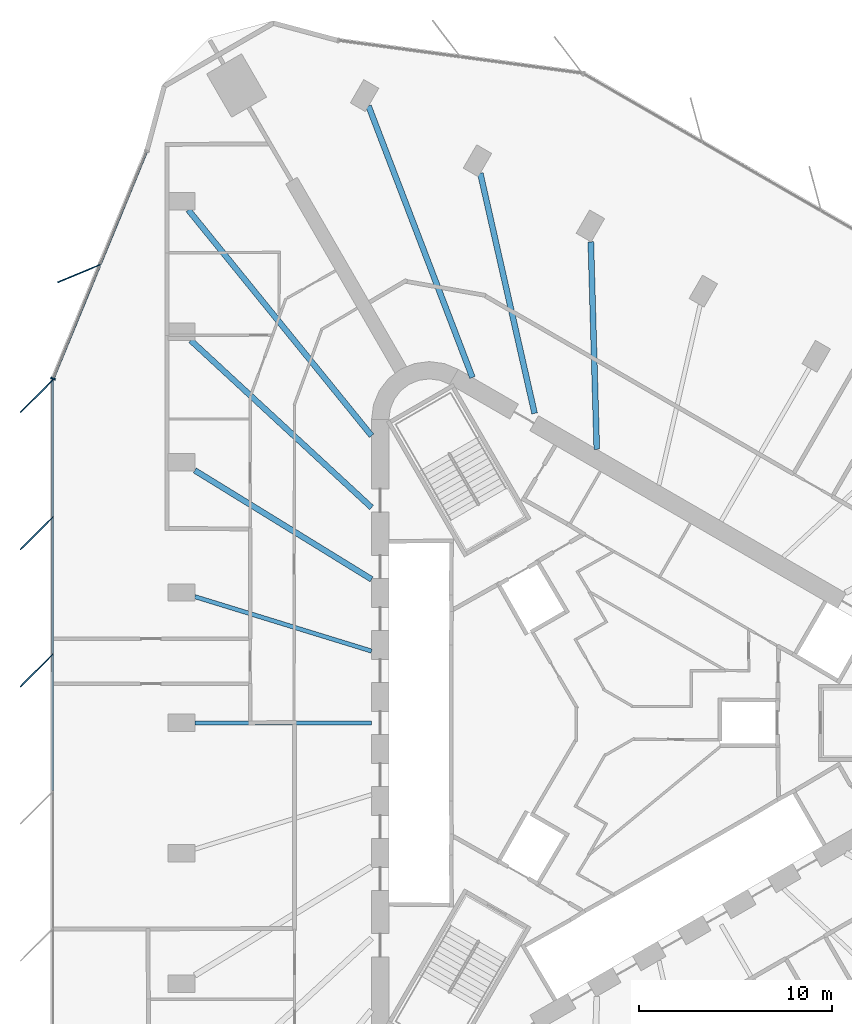
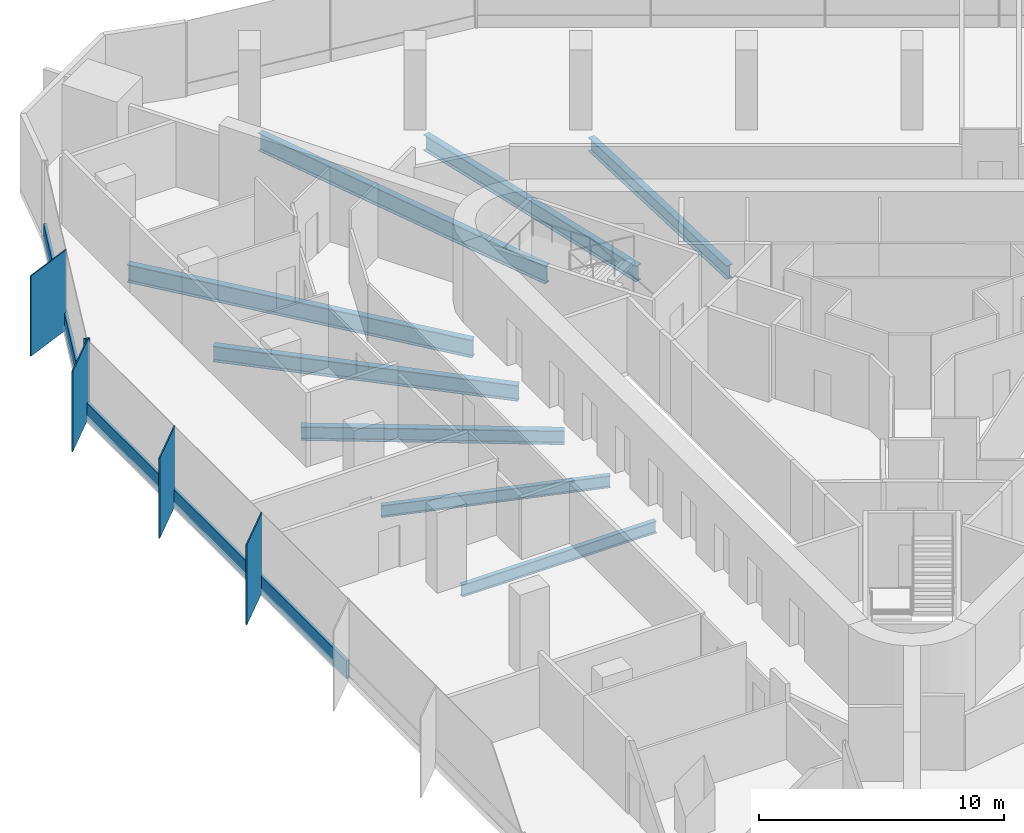
# One storey, part 4 of 14: 10 members, 8 beams, 2 elements without a shape of their own.
"""IFC4 building model written with IfcOpenShell, lengths in metres."""

import ifcopenshell
import ifcopenshell.guid

model = None  # the IFC model being written
_history = None  # IfcOwnerHistory: only IFC2X3 demands one
_inside = {}  # id of a spatial element -> (the spatial element, [elements in it])
_under = {}  # id of a project, library or spatial element -> (it, [spatial elements below it])
_declared = {}  # id of a project -> (the project, [libraries it declares])
_typed = {}  # id of a type object -> (the type object, [elements of that type])
_made_of = {}  # id of a material, layer set ... -> (it, [elements and type objects made of it])


def new_model(schema):
    """Start an empty IFC model of exactly this schema.

    Asked for "IFC4X3", IfcOpenShell would pick the latest addendum, in which some entities
    have other attributes; the version numbers below select the first issue.
    IFC2X3 requires an IfcOwnerHistory on every rooted entity: one is made here for all.
    """
    global model, _history
    if schema == "IFC4X3":
        model = ifcopenshell.file(schema_version=(4, 3, 0, 0))
    else:
        model = ifcopenshell.file(schema=schema)
    _inside.clear()
    _under.clear()
    _declared.clear()
    _typed.clear()
    _made_of.clear()
    _history = None
    if model.schema == "IFC2X3":
        org = make("IfcOrganization", Name="unknown")
        user = make(
            "IfcPersonAndOrganization",
            ThePerson=make("IfcPerson", FamilyName="unknown"),
            TheOrganization=org,
        )
        app = make(
            "IfcApplication",
            ApplicationDeveloper=org,
            Version="unknown",
            ApplicationFullName="unknown",
            ApplicationIdentifier="unknown",
        )
        _history = make(
            "IfcOwnerHistory",
            OwningUser=user,
            OwningApplication=app,
            ChangeAction="ADDED",
            CreationDate=0,
        )
    return model


def make(cls, **values):
    """One entity of the class cls with the attributes given. An attribute that is None is left unset."""
    return model.create_entity(
        cls, **{name: value for name, value in values.items() if value is not None}
    )


def rooted(cls, **values):
    """An entity with a GlobalId (a new one), such as an element, a storey or a relation."""
    return make(cls, GlobalId=ifcopenshell.guid.new(), OwnerHistory=_history, **values)


def si_unit(unit_type, name, prefix=None):
    """IfcSIUnit, for example si_unit("LENGTHUNIT", "METRE", prefix="MILLI")."""
    return make("IfcSIUnit", UnitType=unit_type, Prefix=prefix, Name=name)


def assignment(units):
    """IfcUnitAssignment: the units of a project."""
    return None if units is None else make("IfcUnitAssignment", Units=units)


def point(xyz):
    """IfcCartesianPoint."""
    return None if xyz is None else make("IfcCartesianPoint", Coordinates=xyz)


def direction(xyz):
    """IfcDirection."""
    return None if xyz is None else make("IfcDirection", DirectionRatios=xyz)


def frame(location, z_axis=None, x_axis=None):
    """IfcAxis2Placement3D, a coordinate frame: its origin and axes. An axis left out is left unset."""
    return make(
        "IfcAxis2Placement3D",
        Location=point(location),
        Axis=direction(z_axis),
        RefDirection=direction(x_axis),
    )


def frame_2d(location, x_axis=None):
    """IfcAxis2Placement2D, a coordinate frame in the plane: its origin and x axis."""
    return make(
        "IfcAxis2Placement2D", Location=point(location), RefDirection=direction(x_axis)
    )


def origin():
    """The frame at (0, 0, 0) with its axes left unset."""
    return frame((0.0, 0.0, 0.0))


def origin_2d():
    """The frame at (0, 0) in the plane with its x axis left unset."""
    return frame_2d((0.0, 0.0))


def place(relative_to, where):
    """IfcLocalPlacement: puts the frame where relative to a parent placement (None: the world)."""
    return make(
        "IfcLocalPlacement", PlacementRelTo=relative_to, RelativePlacement=where
    )


def context(
    kind, dimensions, precision=None, world=None, true_north=None, identifier=None
):
    """IfcGeometricRepresentationContext, for example the 3D "Model" context."""
    return make(
        "IfcGeometricRepresentationContext",
        ContextIdentifier=identifier,
        ContextType=kind,
        CoordinateSpaceDimension=dimensions,
        Precision=precision,
        WorldCoordinateSystem=world,
        TrueNorth=true_north,
    )


def subcontext(parent, identifier, kind, view, scale=None):
    """IfcGeometricRepresentationSubContext, for example "Body" below "Model"."""
    return make(
        "IfcGeometricRepresentationSubContext",
        ContextIdentifier=identifier,
        ContextType=kind,
        ParentContext=parent,
        TargetScale=scale,
        TargetView=view,
    )


def project(units=None, contexts=None):
    """IfcProject with its units and contexts."""
    return rooted(
        "IfcProject",
        Name="project",
        RepresentationContexts=contexts,
        UnitsInContext=assignment(units),
    )


def spatial(cls, under=None, at=None, **own):
    """A site, building, storey or space (cls), placed at a placement, below another one or the project."""
    s = rooted(cls, ObjectPlacement=at, **own)
    if under is not None:
        _under.setdefault(under.id(), (under, []))[1].append(s)
    return s


def profile(cls, at=None, kind="AREA", **sizes):
    """A parametric profile (cls). Its sizes go by their IFC names, for example OverallWidth=200.0."""
    return make(cls, ProfileType=kind, Position=at, **sizes)


def rectangle(**sizes):
    """IfcRectangleProfileDef."""
    return profile("IfcRectangleProfileDef", **sizes)


def i_section(**sizes):
    """IfcIShapeProfileDef."""
    return profile("IfcIShapeProfileDef", **sizes)


def extrude(swept, where, along, depth):
    """IfcExtrudedAreaSolid: the profile swept, set in the frame where, extruded along a direction by depth."""
    return make(
        "IfcExtrudedAreaSolid",
        SweptArea=swept,
        Position=where,
        ExtrudedDirection=direction(along),
        Depth=depth,
    )


def shape(context_of_items, identifier, shape_type, items):
    """IfcShapeRepresentation: the items that make up one representation, for example the "Body"."""
    return make(
        "IfcShapeRepresentation",
        ContextOfItems=context_of_items,
        RepresentationIdentifier=identifier,
        RepresentationType=shape_type,
        Items=items,
    )


def material(Name=None, Category=None):
    """IfcMaterial."""
    return make("IfcMaterial", Name=Name, Category=Category)


def material_profile(
    of_material, cross_section, Name=None, Category=None, Priority=None
):
    """IfcMaterialProfile: a cross section and its material."""
    return make(
        "IfcMaterialProfile",
        Name=Name,
        Material=of_material,
        Profile=cross_section,
        Priority=Priority,
        Category=Category,
    )


def profile_set(profiles, Name=None, composite=None):
    """IfcMaterialProfileSet."""
    return make(
        "IfcMaterialProfileSet",
        Name=Name,
        MaterialProfiles=profiles,
        CompositeProfile=composite,
    )


def made_of(thing, what):
    """Note that an element or type object is made of a material, layer set ...; save() writes the relation."""
    if what is not None:
        _made_of.setdefault(what.id(), (what, []))[1].append(thing)
    return thing


def type_object(cls, material=None, **own):
    """A type object (cls), such as IfcWallType, which elements share."""
    return made_of(rooted(cls, **own), material)


def element(
    cls,
    number,
    at=None,
    inside=None,
    cuts=None,
    type_object=None,
    material=None,
    context=None,
    identifier="Body",
    shape_type=None,
    held_by="IfcProductDefinitionShape",
    body=None,
    shapes=None,
    **own,
):
    """One element of the class cls, such as IfcWall. Its Tag is "e" and its number.

    at: its placement. inside: the storey or other place that contains it. cuts: it is an
    opening in that element (IfcRelVoidsElement). A single representation is given by context,
    identifier, shape_type and body (its items); several are given by shapes. held_by: the class
    of the entity that holds the representations. save() writes the other relations.
    """
    e = rooted(cls, Tag="e%d" % number, ObjectPlacement=at, **own)
    if body is not None:
        shapes = [shape(context, identifier, shape_type, body)]
    if shapes is not None:
        e.Representation = make(held_by, Representations=shapes)
    if inside is not None:
        _inside.setdefault(inside.id(), (inside, []))[1].append(e)
    if cuts is not None:
        rooted(
            "IfcRelVoidsElement", RelatingBuildingElement=cuts, RelatedOpeningElement=e
        )
    if type_object is not None:
        _typed.setdefault(type_object.id(), (type_object, []))[1].append(e)
    return made_of(e, material)


def aggregate(whole, parts):
    """IfcRelAggregates: a whole, such as a stair, and the parts it consists of."""
    return rooted("IfcRelAggregates", RelatingObject=whole, RelatedObjects=parts)


def save(model, path):
    """Write the relations noted so far, then the file.

    IfcRelAggregates (storeys below a building ...), IfcRelContainedInSpatialStructure (elements
    in a storey), IfcRelDefinesByType, IfcRelAssociatesMaterial and IfcRelDeclares: one each for
    every whole, place, type object, material and project.
    """
    for whole, parts in _under.values():
        aggregate(whole, parts)
    for where, things in _inside.values():
        rooted(
            "IfcRelContainedInSpatialStructure",
            RelatedElements=things,
            RelatingStructure=where,
        )
    for kind, things in _typed.values():
        rooted("IfcRelDefinesByType", RelatedObjects=things, RelatingType=kind)
    for what, things in _made_of.values():
        rooted("IfcRelAssociatesMaterial", RelatedObjects=things, RelatingMaterial=what)
    for by, libraries in _declared.values():
        rooted("IfcRelDeclares", RelatingContext=by, RelatedDefinitions=libraries)
    model.write(path)


model = new_model("IFC4")

# Units and contexts
model_context = context("Model", 3, precision=1e-05, world=origin(), true_north=direction((0.0, 1.0)))
body_context = subcontext(model_context, "Body", "Model", "MODEL_VIEW")
ifc_project = project(units=[si_unit("LENGTHUNIT", "METRE"), si_unit("AREAUNIT", "SQUARE_METRE"), si_unit("VOLUMEUNIT", "CUBIC_METRE"), si_unit("PLANEANGLEUNIT", "RADIAN"), si_unit("MASSUNIT", "GRAM", prefix="KILO")], contexts=[model_context])

# Site, building, storey
site_placement = place(None, origin())
site = spatial("IfcSite", under=ifc_project, at=site_placement, CompositionType="ELEMENT")
building_placement = place(site_placement, origin())
building = spatial("IfcBuilding", under=site, at=building_placement, Name="Tanit Gate Tower", CompositionType="ELEMENT")
storey_placement = place(building_placement, frame((0.0, 0.0, 237.199951171875)))
storey = spatial("IfcBuildingStorey", under=building, at=storey_placement, Name="L53", CompositionType="ELEMENT", Elevation=237.199951171875)

# Curtain wall, member
ifc_material_1 = material(Name="Aluminium bronze anodised and glass", Category="aluminium")
curtain_wall_type = type_object("IfcCurtainWallType", Name="Curtain wall typical mid", PredefinedType="NOTDEFINED", material=ifc_material_1)
curtain_wall_1_placement = place(storey_placement, origin())
curtain_wall_1 = element("IfcCurtainWall", 1, at=curtain_wall_1_placement, inside=storey, type_object=curtain_wall_type, Name="Curtain wall L53 W1", PredefinedType="NOTDEFINED")
ifc_material_2 = material(Name="Aluminium bronze anodised", Category="aluminium")
ifc_material_profile_1 = material_profile(ifc_material_2, rectangle(XDim=2.39990234375, YDim=0.055908203125, at=origin_2d()), Name="56x2400 bronze fin mullion")
ifc_profile_set_1 = profile_set([ifc_material_profile_1], Name="Aluminium bronze anodised")
member_type_1 = type_object("IfcMemberType", Name="FIN MULLION 56x2400 bronze", PredefinedType="MULLION", material=ifc_profile_set_1)
member_1_placement = place(storey_placement, frame((-27.298828125, 23.334716796875, -0.300048828125), z_axis=(0.0, 0.0, 1.0), x_axis=(0.922885714488, 0.385073964315, 0.0)))
member_1 = element("IfcMember", 2, at=member_1_placement, type_object=member_type_1, Name="Fin mullion L53 W1.2", PredefinedType="MULLION", context=body_context, shape_type="SweptSolid", body=[
    extrude(rectangle(XDim=2.39990234375, YDim=0.055908203125, at=origin_2d()), origin(), (0.0, 0.0, 1.0), 4.0),
])

# Curtain wall, members
curtain_wall_2_placement = place(storey_placement, origin())
curtain_wall_2 = element("IfcCurtainWall", 3, at=curtain_wall_2_placement, inside=storey, type_object=curtain_wall_type, Name="Curtain wall L53 W2", PredefinedType="NOTDEFINED")
member_2_placement = place(storey_placement, frame((-29.48974609375, 16.967529296875, -0.300048828125), z_axis=(0.0, 0.0, 1.0), x_axis=(0.707057749571, 0.707155809403, 0.0)))
member_2 = element("IfcMember", 4, at=member_2_placement, type_object=member_type_1, Name="Fin mullion L53 W2.1", PredefinedType="MULLION", context=body_context, shape_type="SweptSolid", body=[
    extrude(rectangle(XDim=2.39990234375, YDim=0.055908203125, at=origin_2d()), origin(), (0.0, 0.0, 1.0), 4.0),
])
member_3_placement = place(storey_placement, frame((-29.4892578125, 9.84716796875, -0.300048828125), z_axis=(0.0, 0.0, 1.0), x_axis=(0.707057749571, 0.707155809403, 0.0)))
member_3 = element("IfcMember", 5, at=member_3_placement, type_object=member_type_1, Name="Fin mullion L53 W2.2", PredefinedType="MULLION", context=body_context, shape_type="SweptSolid", body=[
    extrude(rectangle(XDim=2.39990234375, YDim=0.055908203125, at=origin_2d()), origin(), (0.0, 0.0, 1.0), 4.0),
])
member_4_placement = place(storey_placement, frame((-29.48876953125, 2.7265625, -0.300048828125), z_axis=(0.0, 0.0, 1.0), x_axis=(0.707057749571, 0.707155809403, 0.0)))
member_4 = element("IfcMember", 6, at=member_4_placement, type_object=member_type_1, Name="Fin mullion L53 W2.3", PredefinedType="MULLION", context=body_context, shape_type="SweptSolid", body=[
    extrude(rectangle(XDim=2.39990234375, YDim=0.055908203125, at=origin_2d()), origin(), (0.0, 0.0, 1.0), 4.0),
])

# Member
ifc_material_3 = material(Name="Aluminium bronze anodised", Category="aluminium")
ifc_material_profile_2 = material_profile(ifc_material_3, rectangle(XDim=0.260009765625, YDim=0.080078125, at=origin_2d()), Name="80x260 bronze mullion")
ifc_profile_set_2 = profile_set([ifc_material_profile_2], Name="Aluminium bronze anodised")
member_type_2 = type_object("IfcMemberType", Name="Mullion 80x260 typical mid", PredefinedType="MULLION", material=ifc_profile_set_2)
member_5_placement = place(storey_placement, frame((-28.64111328125, 17.878173828125, -0.300048828125), z_axis=(0.0, 0.0, 1.0), x_axis=(0.924867158401, -0.380290335549, 0.0)))
member_5 = element("IfcMember", 7, at=member_5_placement, type_object=member_type_2, Name="Mullion L53 W1.3", PredefinedType="MULLION", context=body_context, shape_type="SweptSolid", body=[
    extrude(rectangle(XDim=0.260009765625, YDim=0.080078125, at=origin_2d()), origin(), (0.0, 0.0, 1.0), 4.0),
])

# Beams
ifc_material_4 = material(Name="Steel S355", Category="steel")
ifc_material_profile_3 = material_profile(ifc_material_4, i_section(OverallWidth=0.300048828125, OverallDepth=0.68994140625, WebThickness=0.014404296875, FlangeThickness=0.027099609375, FilletRadius=0.027099609375, at=origin_2d()), Name="HEA 700")
ifc_profile_set_3 = profile_set([ifc_material_profile_3], Name="Steel S355")
beam_type_1 = type_object("IfcBeamType", Name="RADIAL GIRDER HEA 700 S355", PredefinedType="BEAM", material=ifc_profile_set_3)
for number, where, z_axis, x_axis, name in (
    (8, (-0.714599609375, 24.983642578125, -0.64501953125), (0.028583051014, -0.999591421129, 0.0), (0.999591421129, 0.028583051014, 0.0), "RADIAL GIRDER"),
    (9, (-21.279296875, 13.110595703125, -0.64501953125), (0.851378241131, -0.524552276259, 0.0), (0.524552276259, 0.851378241131, 0.0), "RADIAL GIRDER"),
):
    element("IfcBeam", number, at=place(storey_placement, frame(where, z_axis=z_axis, x_axis=x_axis)), inside=storey, type_object=beam_type_1, Name=name, PredefinedType="BEAM", context=body_context, shape_type="SweptSolid", body=[
        extrude(i_section(OverallWidth=0.300048828125, OverallDepth=0.68994140625, WebThickness=0.014404296875, FlangeThickness=0.027099609375, FilletRadius=0.027099609375, at=origin_2d()), origin(), (0.0, 0.0, 1.0), 10.779296875),
    ])
ifc_material_5 = material(Name="Steel S355", Category="steel")
ifc_material_profile_4 = material_profile(ifc_material_5, i_section(OverallWidth=0.300048828125, OverallDepth=0.7900390625, WebThickness=0.014892578125, FlangeThickness=0.028076171875, FilletRadius=0.030029296875, at=origin_2d()), Name="HEA 800")
ifc_profile_set_4 = profile_set([ifc_material_profile_4], Name="Steel S355")
beam_type_2 = type_object("IfcBeamType", Name="RADIAL GIRDER HEA 800 S355", PredefinedType="BEAM", material=ifc_profile_set_4)
for number, where, z_axis, x_axis, name in (
    (10, (-6.45556640625, 28.544189453125, -0.695068359375), (0.220594325016, -0.975365646192, 0.0), (0.975365646192, 0.220594325016, 0.0), "RADIAL GIRDER"),
    (11, (-21.4921875, 19.86279296875, -0.695068359375), (0.734397761649, -0.678719329093, 0.0), (0.678719329093, 0.734397761649, 0.0), "RADIAL GIRDER"),
):
    element("IfcBeam", number, at=place(storey_placement, frame(where, z_axis=z_axis, x_axis=x_axis)), inside=storey, type_object=beam_type_2, Name=name, PredefinedType="BEAM", context=body_context, shape_type="SweptSolid", body=[
        extrude(i_section(OverallWidth=0.300048828125, OverallDepth=0.7900390625, WebThickness=0.014892578125, FlangeThickness=0.028076171875, FilletRadius=0.030029296875, at=origin_2d()), origin(), (0.0, 0.0, 1.0), 12.7861328125),
    ])
ifc_material_6 = material(Name="Steel S355", Category="steel")
ifc_material_profile_5 = material_profile(ifc_material_6, i_section(OverallWidth=0.300048828125, OverallDepth=0.889892578125, WebThickness=0.01611328125, FlangeThickness=0.030029296875, FilletRadius=0.030029296875, at=origin_2d()), Name="HEA 900")
ifc_profile_set_5 = profile_set([ifc_material_profile_5], Name="Steel S355")
beam_type_3 = type_object("IfcBeamType", Name="RADIAL GIRDER HEA 900 S355", PredefinedType="BEAM", material=ifc_profile_set_5)
for number, where, z_axis, x_axis, name in (
    (12, (-12.2587890625, 32.03515625, -0.744873046875), (0.357400572527, -0.93395119292, 0.0), (0.93395119292, 0.357400572527, 0.0), "RADIAL GIRDER"),
    (13, (-21.614013671875, 26.6337890625, -0.744873046875), (0.630133417388, -0.776486880952, 0.0), (0.776486880952, 0.630133417388, 0.0), "RADIAL GIRDER"),
):
    element("IfcBeam", number, at=place(storey_placement, frame(where, z_axis=z_axis, x_axis=x_axis)), inside=storey, type_object=beam_type_3, Name=name, PredefinedType="BEAM", context=body_context, shape_type="SweptSolid", body=[
        extrude(i_section(OverallWidth=0.300048828125, OverallDepth=0.889892578125, WebThickness=0.01611328125, FlangeThickness=0.030029296875, FilletRadius=0.030029296875, at=origin_2d()), origin(), (0.0, 0.0, 1.0), 15.09521484375),
    ])
ifc_material_7 = material(Name="Steel S355", Category="steel")
ifc_material_profile_6 = material_profile(ifc_material_7, i_section(OverallWidth=0.219970703125, OverallDepth=0.60009765625, WebThickness=0.011962890625, FlangeThickness=0.01904296875, FilletRadius=0.02392578125, at=origin_2d()), Name="IPE 600")
ifc_profile_set_6 = profile_set([ifc_material_profile_6], Name="Steel S355")
beam_type_4 = type_object("IfcBeamType", Name="RADIAL GIRDER IPE 600 S355", PredefinedType="BEAM", material=ifc_profile_set_6)
beam_1_placement = place(storey_placement, frame((-21.279296875, 6.555419921875, -0.599853515625), z_axis=(0.955680008009, -0.294407408692, 0.0), x_axis=(0.294407408692, 0.955680008009, 0.0)))
element("IfcBeam", 14, at=beam_1_placement, inside=storey, type_object=beam_type_4, Name="RADIAL GIRDER", PredefinedType="BEAM", context=body_context, shape_type="SweptSolid", body=[
    extrude(i_section(OverallWidth=0.219970703125, OverallDepth=0.60009765625, WebThickness=0.011962890625, FlangeThickness=0.01904296875, FilletRadius=0.02392578125, at=origin_2d()), origin(), (0.0, 0.0, 1.0), 9.602783203125),
])
beam_2_placement = place(storey_placement, frame((-21.279296875, 0.0, -0.599853515625), z_axis=(1.0, 0.0, 0.0), x_axis=(0.0, 1.0, 0.0)))
element("IfcBeam", 15, at=beam_2_placement, inside=storey, type_object=beam_type_4, Name="RADIAL GIRDER", PredefinedType="BEAM", context=body_context, shape_type="SweptSolid", body=[
    extrude(i_section(OverallWidth=0.219970703125, OverallDepth=0.60009765625, WebThickness=0.011962890625, FlangeThickness=0.01904296875, FilletRadius=0.02392578125, at=origin_2d()), origin(), (0.0, 0.0, 1.0), 9.17724609375),
])

# Member
ifc_material_8 = material(Name="Aluminium bronze anodised", Category="aluminium")
ifc_material_profile_7 = material_profile(ifc_material_8, rectangle(XDim=0.139892578125, YDim=0.89990234375, at=origin_2d()), Name="140x900 bronze transom")
ifc_profile_set_7 = profile_set([ifc_material_profile_7], Name="Aluminium bronze anodised")
member_type_3 = type_object("IfcMemberType", Name="Transom 140x900 typical mid", PredefinedType="USERDEFINED", material=ifc_profile_set_7)
member_6_placement = place(storey_placement, frame((-23.795654296875, 29.662109375, 0.150146484375), z_axis=(-0.380298329164, -0.924863871516, 0.0), x_axis=(0.924863871516, -0.380298329164, 0.0)))
member_6 = element("IfcMember", 16, at=member_6_placement, type_object=member_type_3, Name="Transom L53 W1.1", ObjectType="TRANSOM", PredefinedType="USERDEFINED", context=body_context, shape_type="SweptSolid", body=[
    extrude(rectangle(XDim=0.139892578125, YDim=0.89990234375, at=origin_2d()), origin(), (0.0, 0.0, 1.0), 6.310546875),
])

member_7_placement = place(storey_placement, frame((-26.22607421875, 23.751708984375, 0.150146484375), z_axis=(-0.380284722273, -0.924869466468, 0.0), x_axis=(0.924869466468, -0.380284722273, 0.0)))
member_7 = element("IfcMember", 17, at=member_7_placement, type_object=member_type_3, Name="Transom L53 W1.2", ObjectType="TRANSOM", PredefinedType="USERDEFINED", context=body_context, shape_type="SweptSolid", body=[
    extrude(rectangle(XDim=0.139892578125, YDim=0.89990234375, at=origin_2d()), origin(), (0.0, 0.0, 1.0), 6.310791015625),
])

aggregate(curtain_wall_1, [member_1, member_5, member_6, member_7])

member_8_placement = place(storey_placement, frame((-28.65625, 17.760986328125, 0.150146484375), z_axis=(6.9355342e-05, -0.999999997595, 0.0), x_axis=(0.999999997595, 6.9355342e-05, 0.0)))
member_8 = element("IfcMember", 18, at=member_8_placement, type_object=member_type_3, Name="Transom L53 W2.1", ObjectType="TRANSOM", PredefinedType="USERDEFINED", context=body_context, shape_type="SweptSolid", body=[
    extrude(rectangle(XDim=0.139892578125, YDim=0.89990234375, at=origin_2d()), origin(), (0.0, 0.0, 1.0), 7.040283203125),
])

member_9_placement = place(storey_placement, frame((-28.65576171875, 10.640625, 0.150146484375), z_axis=(6.9352937e-05, -0.999999997595, 0.0), x_axis=(0.999999997595, 6.9352937e-05, 0.0)))
member_9 = element("IfcMember", 19, at=member_9_placement, type_object=member_type_3, Name="Transom L53 W2.2", ObjectType="TRANSOM", PredefinedType="USERDEFINED", context=body_context, shape_type="SweptSolid", body=[
    extrude(rectangle(XDim=0.139892578125, YDim=0.89990234375, at=origin_2d()), origin(), (0.0, 0.0, 1.0), 7.04052734375),
])

member_10_placement = place(storey_placement, frame((-28.6552734375, 3.520263671875, 0.150146484375), z_axis=(6.9352937e-05, -0.999999997595, 0.0), x_axis=(0.999999997595, 6.9352937e-05, 0.0)))
member_10 = element("IfcMember", 20, at=member_10_placement, type_object=member_type_3, Name="Transom L53 W2.3", ObjectType="TRANSOM", PredefinedType="USERDEFINED", context=body_context, shape_type="SweptSolid", body=[
    extrude(rectangle(XDim=0.139892578125, YDim=0.89990234375, at=origin_2d()), origin(), (0.0, 0.0, 1.0), 7.04052734375),
])

aggregate(curtain_wall_2, [member_2, member_3, member_4, member_8, member_9, member_10])

save(model, "model.ifc")
